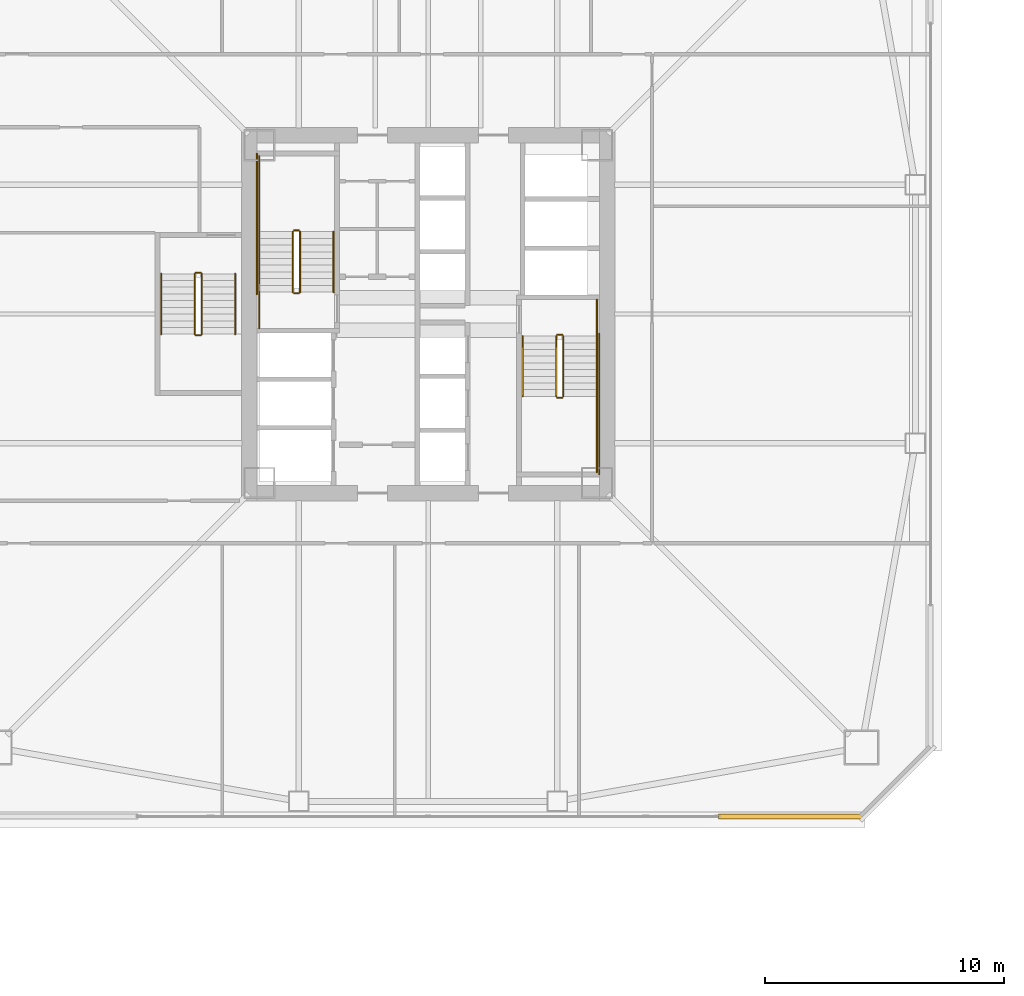
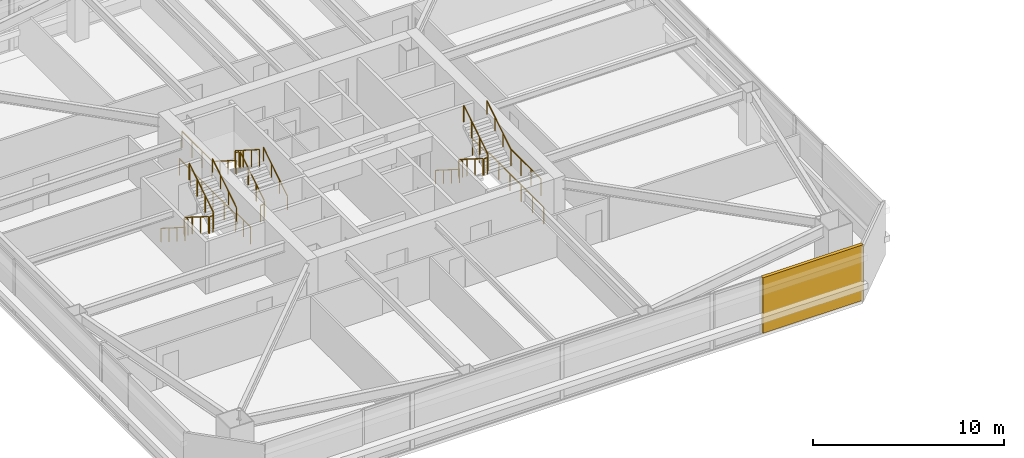
# One storey, part 39 of 44: 24 railings, 1 covering.
"""IFC4 building model written with IfcOpenShell, lengths in metres."""

from ifc_helpers import new_model, si_unit, direction, frame, origin, origin_2d, place, context, subcontext, project, spatial, rectangle, extrude, material, layer, layer_set, type_object, element, save


model = new_model("IFC4")

# Units and contexts
model_context = context("Model", 3, precision=1e-05, world=origin(), true_north=direction((0.0, 1.0)))
body_context = subcontext(model_context, "Body", "Model", "MODEL_VIEW")
ifc_project = project(units=[si_unit("LENGTHUNIT", "METRE"), si_unit("AREAUNIT", "SQUARE_METRE"), si_unit("VOLUMEUNIT", "CUBIC_METRE"), si_unit("PLANEANGLEUNIT", "RADIAN"), si_unit("MASSUNIT", "GRAM", prefix="KILO")], contexts=[model_context])

# Site, building, storey
site_placement = place(None, origin())
site = spatial("IfcSite", under=ifc_project, at=site_placement, CompositionType="ELEMENT")
building_placement = place(site_placement, origin())
building = spatial("IfcBuilding", under=site, at=building_placement, Name="Tashvorn Skyway Center", CompositionType="ELEMENT")
storey_placement = place(building_placement, frame((0.0, 0.0, 74.300048828125)))
storey = spatial("IfcBuildingStorey", under=building, at=storey_placement, Name="L19", CompositionType="ELEMENT", Elevation=74.300048828125)

# Covering
ifc_material_1 = material(Name="Precast concrete C40/50", Category="concrete")
ifc_layer = layer(ifc_material_1, 0.199951171875)
ifc_layer_set = layer_set([ifc_layer], Name="Precast concrete C40/50")
covering_type = type_object("IfcCoveringType", Name="COV-BRACE-CLAD", PredefinedType="CLADDING", material=ifc_layer_set)
covering_placement = place(storey_placement, frame((57.14990234375, 11.02001953125, 0.0), z_axis=(0.0, 0.0, 1.0), x_axis=(-1.0, 0.0, 0.0)))
element("IfcCovering", 1, at=covering_placement, inside=storey, type_object=covering_type, Name="Tower 1 L19 South Unitised Curtain Wall Mega-Brace Cladding Band 1", PredefinedType="CLADDING", context=body_context, shape_type="SweptSolid", body=[
    extrude(rectangle(XDim=6.06005859375, YDim=0.199951171875, at=origin_2d()), origin(), (0.0, 0.0, 1.0), 3.550048828125),
])

# Railings
ifc_material_2 = material(Name="Brushed stainless steel 316", Category="steel")
railing_type_1 = type_object("IfcRailingType", Name="RAIL-HAND-920", PredefinedType="HANDRAIL", material=ifc_material_2)
railing_1_placement = place(storey_placement, frame((38.050048828125, 32.919921875, 0.177490234375)))
element("IfcRailing", 2, at=railing_1_placement, inside=storey, type_object=railing_type_1, Name="L19 ST-T1-1 stair handrail 1", PredefinedType="HANDRAIL", context=body_context, shape_type="SweptSolid", body=[
    extrude(rectangle(XDim=0.048095703125, YDim=0.048095703125, at=origin_2d()), frame((0.0, 0.0, 0.8759765625), z_axis=(0.0, 0.84460694969, 0.535386869969), x_axis=(-1.0, 0.0, 0.0)), (0.0, 0.0, 1.0), 2.983642578125),
    extrude(rectangle(XDim=0.0419921875, YDim=0.0419921875, at=origin_2d()), origin(), (0.0, 0.0, 1.0), 0.851806640625),
    extrude(rectangle(XDim=0.0419921875, YDim=0.0419921875, at=origin_2d()), frame((0.0, 0.840087890625, 0.532470703125)), (0.0, 0.0, 1.0), 0.851806640625),
    extrude(rectangle(XDim=0.0419921875, YDim=0.0419921875, at=origin_2d()), frame((0.0, 1.679931640625, 1.06494140625)), (0.0, 0.0, 1.0), 0.851806640625),
    extrude(rectangle(XDim=0.0419921875, YDim=0.0419921875, at=origin_2d()), frame((0.0, 2.52001953125, 1.597412109375)), (0.0, 0.0, 1.0), 0.851806640625),
])
railing_2_placement = place(storey_placement, frame((34.949951171875, 35.43994140625, 1.952392578125)))
element("IfcRailing", 3, at=railing_2_placement, inside=storey, type_object=railing_type_1, Name="L19 ST-T1-1 stair handrail 2", PredefinedType="HANDRAIL", context=body_context, shape_type="SweptSolid", body=[
    extrude(rectangle(XDim=0.048095703125, YDim=0.048095703125, at=origin_2d()), frame((0.0, 0.0, 0.8759765625), z_axis=(0.0, -0.84456994832, 0.535445237532), x_axis=(1.0, 0.0, 0.0)), (0.0, 0.0, 1.0), 2.98388671875),
    extrude(rectangle(XDim=0.0419921875, YDim=0.0419921875, at=origin_2d()), origin(), (0.0, 0.0, 1.0), 0.851806640625),
    extrude(rectangle(XDim=0.0419921875, YDim=0.0419921875, at=origin_2d()), frame((0.0, -0.840087890625, 0.532470703125)), (0.0, 0.0, 1.0), 0.851806640625),
    extrude(rectangle(XDim=0.0419921875, YDim=0.0419921875, at=origin_2d()), frame((0.0, -1.679931640625, 1.065185546875)), (0.0, 0.0, 1.0), 0.851806640625),
    extrude(rectangle(XDim=0.0419921875, YDim=0.0419921875, at=origin_2d()), frame((0.0, -2.52001953125, 1.59765625)), (0.0, 0.0, 1.0), 0.851806640625),
])
railing_3_placement = place(storey_placement, frame((45.949951171875, 31.080078125, 0.177490234375)))
element("IfcRailing", 4, at=railing_3_placement, inside=storey, type_object=railing_type_1, Name="L19 ST-T1-2 stair handrail 1", PredefinedType="HANDRAIL", context=body_context, shape_type="SweptSolid", body=[
    extrude(rectangle(XDim=0.048095703125, YDim=0.048095703125, at=origin_2d()), frame((0.0, 0.0, 0.8759765625), z_axis=(0.0, -0.84460694969, 0.535386869969), x_axis=(1.0, 0.0, 0.0)), (0.0, 0.0, 1.0), 2.983642578125),
    extrude(rectangle(XDim=0.0419921875, YDim=0.0419921875, at=origin_2d()), origin(), (0.0, 0.0, 1.0), 0.851806640625),
    extrude(rectangle(XDim=0.0419921875, YDim=0.0419921875, at=origin_2d()), frame((0.0, -0.840087890625, 0.532470703125)), (0.0, 0.0, 1.0), 0.851806640625),
    extrude(rectangle(XDim=0.0419921875, YDim=0.0419921875, at=origin_2d()), frame((0.0, -1.679931640625, 1.06494140625)), (0.0, 0.0, 1.0), 0.851806640625),
    extrude(rectangle(XDim=0.0419921875, YDim=0.0419921875, at=origin_2d()), frame((0.0, -2.52001953125, 1.597412109375)), (0.0, 0.0, 1.0), 0.851806640625),
])
railing_4_placement = place(storey_placement, frame((49.050048828125, 28.56005859375, 1.952392578125)))
element("IfcRailing", 5, at=railing_4_placement, inside=storey, type_object=railing_type_1, Name="L19 ST-T1-2 stair handrail 2", PredefinedType="HANDRAIL", context=body_context, shape_type="SweptSolid", body=[
    extrude(rectangle(XDim=0.048095703125, YDim=0.048095703125, at=origin_2d()), frame((0.0, 0.0, 0.8759765625), z_axis=(0.0, 0.84456994832, 0.535445237532), x_axis=(-1.0, 0.0, 0.0)), (0.0, 0.0, 1.0), 2.98388671875),
    extrude(rectangle(XDim=0.0419921875, YDim=0.0419921875, at=origin_2d()), origin(), (0.0, 0.0, 1.0), 0.851806640625),
    extrude(rectangle(XDim=0.0419921875, YDim=0.0419921875, at=origin_2d()), frame((0.0, 0.840087890625, 0.532470703125)), (0.0, 0.0, 1.0), 0.851806640625),
    extrude(rectangle(XDim=0.0419921875, YDim=0.0419921875, at=origin_2d()), frame((0.0, 1.679931640625, 1.065185546875)), (0.0, 0.0, 1.0), 0.851806640625),
    extrude(rectangle(XDim=0.0419921875, YDim=0.0419921875, at=origin_2d()), frame((0.0, 2.52001953125, 1.59765625)), (0.0, 0.0, 1.0), 0.851806640625),
])
railing_5_placement = place(storey_placement, frame((30.85009765625, 33.679931640625, 0.177490234375)))
element("IfcRailing", 6, at=railing_5_placement, inside=storey, type_object=railing_type_1, Name="L19 ST-T1-3 stair handrail 1", PredefinedType="HANDRAIL", context=body_context, shape_type="SweptSolid", body=[
    extrude(rectangle(XDim=0.048095703125, YDim=0.048095703125, at=origin_2d()), frame((0.0, 0.0, 0.8759765625), z_axis=(0.0, -0.84460694969, 0.535386869969), x_axis=(1.0, 0.0, 0.0)), (0.0, 0.0, 1.0), 2.983642578125),
    extrude(rectangle(XDim=0.0419921875, YDim=0.0419921875, at=origin_2d()), origin(), (0.0, 0.0, 1.0), 0.851806640625),
    extrude(rectangle(XDim=0.0419921875, YDim=0.0419921875, at=origin_2d()), frame((0.0, -0.840087890625, 0.532470703125)), (0.0, 0.0, 1.0), 0.851806640625),
    extrude(rectangle(XDim=0.0419921875, YDim=0.0419921875, at=origin_2d()), frame((0.0, -1.679931640625, 1.06494140625)), (0.0, 0.0, 1.0), 0.851806640625),
    extrude(rectangle(XDim=0.0419921875, YDim=0.0419921875, at=origin_2d()), frame((0.0, -2.52001953125, 1.597412109375)), (0.0, 0.0, 1.0), 0.851806640625),
])
railing_6_placement = place(storey_placement, frame((33.949951171875, 31.159912109375, 1.952392578125)))
element("IfcRailing", 7, at=railing_6_placement, inside=storey, type_object=railing_type_1, Name="L19 ST-T1-3 stair handrail 2", PredefinedType="HANDRAIL", context=body_context, shape_type="SweptSolid", body=[
    extrude(rectangle(XDim=0.048095703125, YDim=0.048095703125, at=origin_2d()), frame((0.0, 0.0, 0.8759765625), z_axis=(0.0, 0.84456994832, 0.535445237532), x_axis=(-1.0, 0.0, 0.0)), (0.0, 0.0, 1.0), 2.98388671875),
    extrude(rectangle(XDim=0.0419921875, YDim=0.0419921875, at=origin_2d()), origin(), (0.0, 0.0, 1.0), 0.851806640625),
    extrude(rectangle(XDim=0.0419921875, YDim=0.0419921875, at=origin_2d()), frame((0.0, 0.840087890625, 0.532470703125)), (0.0, 0.0, 1.0), 0.851806640625),
    extrude(rectangle(XDim=0.0419921875, YDim=0.0419921875, at=origin_2d()), frame((0.0, 1.679931640625, 1.065185546875)), (0.0, 0.0, 1.0), 0.851806640625),
    extrude(rectangle(XDim=0.0419921875, YDim=0.0419921875, at=origin_2d()), frame((0.0, 2.52001953125, 1.59765625)), (0.0, 0.0, 1.0), 0.851806640625),
])
ifc_material_3 = material(Name="Painted galvanized steel S355", Category="steel")
railing_type_2 = type_object("IfcRailingType", Name="RAIL-STGUARD-1100", PredefinedType="GUARDRAIL", material=ifc_material_3)
railing_7_placement = place(storey_placement, frame((36.64990234375, 32.919921875, 0.177490234375)))
element("IfcRailing", 8, at=railing_7_placement, inside=storey, type_object=railing_type_2, Name="L19 ST-T1-1 stair guard 1", PredefinedType="GUARDRAIL", context=body_context, shape_type="SweptSolid", body=[
    extrude(rectangle(XDim=0.048095703125, YDim=0.048095703125, at=origin_2d()), frame((0.0, 0.0, 1.076171875), z_axis=(0.0, 0.84460694969, 0.535386869969), x_axis=(-1.0, 0.0, 0.0)), (0.0, 0.0, 1.0), 2.983642578125),
    extrude(rectangle(XDim=0.0419921875, YDim=0.0419921875, at=origin_2d()), origin(), (0.0, 0.0, 1.0), 1.052001953125),
    extrude(rectangle(XDim=0.0419921875, YDim=0.0419921875, at=origin_2d()), frame((0.0, 0.840087890625, 0.532470703125)), (0.0, 0.0, 1.0), 1.052001953125),
    extrude(rectangle(XDim=0.0419921875, YDim=0.0419921875, at=origin_2d()), frame((0.0, 1.679931640625, 1.06494140625)), (0.0, 0.0, 1.0), 1.052001953125),
    extrude(rectangle(XDim=0.0419921875, YDim=0.0419921875, at=origin_2d()), frame((0.0, 2.52001953125, 1.597412109375)), (0.0, 0.0, 1.0), 1.052001953125),
])
railing_8_placement = place(storey_placement, frame((36.60009765625, 35.489990234375, 1.77490234375)))
element("IfcRailing", 9, at=railing_8_placement, inside=storey, type_object=railing_type_2, Name="L19 ST-T1-1 stair guard 2", PredefinedType="GUARDRAIL", context=body_context, shape_type="SweptSolid", body=[
    extrude(rectangle(XDim=0.048095703125, YDim=0.048095703125, at=origin_2d()), frame((0.0, 0.0, 1.076171875), z_axis=(-1.0, 0.0, 0.0), x_axis=(0.0, -1.0, 0.0)), (0.0, 0.0, 1.0), 0.2001953125),
    extrude(rectangle(XDim=0.0419921875, YDim=0.0419921875, at=origin_2d()), origin(), (0.0, 0.0, 1.0), 1.052001953125),
    extrude(rectangle(XDim=0.0419921875, YDim=0.0419921875, at=origin_2d()), frame((-0.2001953125, 0.0, 0.0)), (0.0, 0.0, 1.0), 1.052001953125),
])
railing_9_placement = place(storey_placement, frame((34.949951171875, 35.43994140625, 1.77490234375)))
element("IfcRailing", 10, at=railing_9_placement, inside=storey, type_object=railing_type_2, Name="L19 ST-T1-1 stair guard 3", PredefinedType="GUARDRAIL", context=body_context, shape_type="SweptSolid", body=[
    extrude(rectangle(XDim=0.048095703125, YDim=0.048095703125, at=origin_2d()), frame((0.0, 0.0, 1.076171875), z_axis=(0.0, 1.0, 0.0), x_axis=(-1.0, 0.0, 0.0)), (0.0, 0.0, 1.0), 3.16015625),
    extrude(rectangle(XDim=0.0419921875, YDim=0.0419921875, at=origin_2d()), origin(), (0.0, 0.0, 1.0), 1.052001953125),
    extrude(rectangle(XDim=0.0419921875, YDim=0.0419921875, at=origin_2d()), frame((0.0, 1.053466796875, 0.0)), (0.0, 0.0, 1.0), 1.052001953125),
    extrude(rectangle(XDim=0.0419921875, YDim=0.0419921875, at=origin_2d()), frame((0.0, 2.106689453125, 0.0)), (0.0, 0.0, 1.0), 1.052001953125),
    extrude(rectangle(XDim=0.0419921875, YDim=0.0419921875, at=origin_2d()), frame((0.0, 3.16015625, 0.0)), (0.0, 0.0, 1.0), 1.052001953125),
])
railing_10_placement = place(storey_placement, frame((36.35009765625, 35.43994140625, 1.952392578125)))
element("IfcRailing", 11, at=railing_10_placement, inside=storey, type_object=railing_type_2, Name="L19 ST-T1-1 stair guard 4", PredefinedType="GUARDRAIL", context=body_context, shape_type="SweptSolid", body=[
    extrude(rectangle(XDim=0.048095703125, YDim=0.048095703125, at=origin_2d()), frame((0.0, 0.0, 1.076171875), z_axis=(0.0, -0.84456994832, 0.535445237532), x_axis=(1.0, 0.0, 0.0)), (0.0, 0.0, 1.0), 2.98388671875),
    extrude(rectangle(XDim=0.0419921875, YDim=0.0419921875, at=origin_2d()), origin(), (0.0, 0.0, 1.0), 1.052001953125),
    extrude(rectangle(XDim=0.0419921875, YDim=0.0419921875, at=origin_2d()), frame((0.0, -0.840087890625, 0.532470703125)), (0.0, 0.0, 1.0), 1.052001953125),
    extrude(rectangle(XDim=0.0419921875, YDim=0.0419921875, at=origin_2d()), frame((0.0, -1.679931640625, 1.065185546875)), (0.0, 0.0, 1.0), 1.052001953125),
    extrude(rectangle(XDim=0.0419921875, YDim=0.0419921875, at=origin_2d()), frame((0.0, -2.52001953125, 1.59765625)), (0.0, 0.0, 1.0), 1.052001953125),
])
railing_11_placement = place(storey_placement, frame((36.60009765625, 32.8701171875, 0.0)))
element("IfcRailing", 12, at=railing_11_placement, inside=storey, type_object=railing_type_2, Name="L19 ST-T1-1 stair guard 5", PredefinedType="GUARDRAIL", context=body_context, shape_type="SweptSolid", body=[
    extrude(rectangle(XDim=0.048095703125, YDim=0.048095703125, at=origin_2d()), frame((0.0, 0.0, 1.076171875), z_axis=(-1.0, 0.0, 0.0), x_axis=(0.0, -1.0, 0.0)), (0.0, 0.0, 1.0), 0.2001953125),
    extrude(rectangle(XDim=0.0419921875, YDim=0.0419921875, at=origin_2d()), origin(), (0.0, 0.0, 1.0), 1.052001953125),
    extrude(rectangle(XDim=0.0419921875, YDim=0.0419921875, at=origin_2d()), frame((-0.2001953125, 0.0, 0.0)), (0.0, 0.0, 1.0), 1.052001953125),
])
railing_12_placement = place(storey_placement, frame((34.949951171875, 31.39990234375, 0.0)))
element("IfcRailing", 13, at=railing_12_placement, inside=storey, type_object=railing_type_2, Name="L19 ST-T1-1 stair guard 6", PredefinedType="GUARDRAIL", context=body_context, shape_type="SweptSolid", body=[
    extrude(rectangle(XDim=0.048095703125, YDim=0.048095703125, at=origin_2d()), frame((0.0, 0.0, 1.076171875), z_axis=(0.0, 1.0, 0.0), x_axis=(-1.0, 0.0, 0.0)), (0.0, 0.0, 1.0), 1.52001953125),
    extrude(rectangle(XDim=0.0419921875, YDim=0.0419921875, at=origin_2d()), origin(), (0.0, 0.0, 1.0), 1.052001953125),
    extrude(rectangle(XDim=0.0419921875, YDim=0.0419921875, at=origin_2d()), frame((0.0, 0.760009765625, 0.0)), (0.0, 0.0, 1.0), 1.052001953125),
    extrude(rectangle(XDim=0.0419921875, YDim=0.0419921875, at=origin_2d()), frame((0.0, 1.52001953125, 0.0)), (0.0, 0.0, 1.0), 1.052001953125),
])
railing_13_placement = place(storey_placement, frame((34.85009765625, 32.820068359375, 0.0)))
element("IfcRailing", 14, at=railing_13_placement, inside=storey, type_object=railing_type_2, Name="L19 ST-T1-1 stair guard 7", PredefinedType="GUARDRAIL", context=body_context, shape_type="SweptSolid", body=[
    extrude(rectangle(XDim=0.048095703125, YDim=0.048095703125, at=origin_2d()), frame((0.0, 0.0, 1.076171875), z_axis=(0.0, 1.0, 0.0), x_axis=(-1.0, 0.0, 0.0)), (0.0, 0.0, 1.0), 5.8798828125),
    extrude(rectangle(XDim=0.0419921875, YDim=0.0419921875, at=origin_2d()), origin(), (0.0, 0.0, 1.0), 1.052001953125),
    extrude(rectangle(XDim=0.0419921875, YDim=0.0419921875, at=origin_2d()), frame((0.0, 1.176025390625, 0.0)), (0.0, 0.0, 1.0), 1.052001953125),
    extrude(rectangle(XDim=0.0419921875, YDim=0.0419921875, at=origin_2d()), frame((0.0, 2.35205078125, 0.0)), (0.0, 0.0, 1.0), 1.052001953125),
    extrude(rectangle(XDim=0.0419921875, YDim=0.0419921875, at=origin_2d()), frame((0.0, 3.52783203125, 0.0)), (0.0, 0.0, 1.0), 1.052001953125),
    extrude(rectangle(XDim=0.0419921875, YDim=0.0419921875, at=origin_2d()), frame((0.0, 4.703857421875, 0.0)), (0.0, 0.0, 1.0), 1.052001953125),
    extrude(rectangle(XDim=0.0419921875, YDim=0.0419921875, at=origin_2d()), frame((0.0, 5.8798828125, 0.0)), (0.0, 0.0, 1.0), 1.052001953125),
])
railing_14_placement = place(storey_placement, frame((47.35009765625, 31.080078125, 0.177490234375)))
element("IfcRailing", 15, at=railing_14_placement, inside=storey, type_object=railing_type_2, Name="L19 ST-T1-2 stair guard 1", PredefinedType="GUARDRAIL", context=body_context, shape_type="SweptSolid", body=[
    extrude(rectangle(XDim=0.048095703125, YDim=0.048095703125, at=origin_2d()), frame((0.0, 0.0, 1.076171875), z_axis=(0.0, -0.84460694969, 0.535386869969), x_axis=(1.0, 0.0, 0.0)), (0.0, 0.0, 1.0), 2.983642578125),
    extrude(rectangle(XDim=0.0419921875, YDim=0.0419921875, at=origin_2d()), origin(), (0.0, 0.0, 1.0), 1.052001953125),
    extrude(rectangle(XDim=0.0419921875, YDim=0.0419921875, at=origin_2d()), frame((0.0, -0.840087890625, 0.532470703125)), (0.0, 0.0, 1.0), 1.052001953125),
    extrude(rectangle(XDim=0.0419921875, YDim=0.0419921875, at=origin_2d()), frame((0.0, -1.679931640625, 1.06494140625)), (0.0, 0.0, 1.0), 1.052001953125),
    extrude(rectangle(XDim=0.0419921875, YDim=0.0419921875, at=origin_2d()), frame((0.0, -2.52001953125, 1.597412109375)), (0.0, 0.0, 1.0), 1.052001953125),
])
railing_15_placement = place(storey_placement, frame((47.39990234375, 28.510009765625, 1.77490234375)))
element("IfcRailing", 16, at=railing_15_placement, inside=storey, type_object=railing_type_2, Name="L19 ST-T1-2 stair guard 2", PredefinedType="GUARDRAIL", context=body_context, shape_type="SweptSolid", body=[
    extrude(rectangle(XDim=0.048095703125, YDim=0.048095703125, at=origin_2d()), frame((0.0, 0.0, 1.076171875), z_axis=(1.0, 0.0, 0.0), x_axis=(0.0, 1.0, 0.0)), (0.0, 0.0, 1.0), 0.2001953125),
    extrude(rectangle(XDim=0.0419921875, YDim=0.0419921875, at=origin_2d()), origin(), (0.0, 0.0, 1.0), 1.052001953125),
    extrude(rectangle(XDim=0.0419921875, YDim=0.0419921875, at=origin_2d()), frame((0.2001953125, 0.0, 0.0)), (0.0, 0.0, 1.0), 1.052001953125),
])
railing_16_placement = place(storey_placement, frame((49.050048828125, 28.56005859375, 1.77490234375)))
element("IfcRailing", 17, at=railing_16_placement, inside=storey, type_object=railing_type_2, Name="L19 ST-T1-2 stair guard 3", PredefinedType="GUARDRAIL", context=body_context, shape_type="SweptSolid", body=[
    extrude(rectangle(XDim=0.048095703125, YDim=0.048095703125, at=origin_2d()), frame((0.0, 0.0, 1.076171875), z_axis=(0.0, -1.0, 0.0), x_axis=(1.0, 0.0, 0.0)), (0.0, 0.0, 1.0), 3.16015625),
    extrude(rectangle(XDim=0.0419921875, YDim=0.0419921875, at=origin_2d()), origin(), (0.0, 0.0, 1.0), 1.052001953125),
    extrude(rectangle(XDim=0.0419921875, YDim=0.0419921875, at=origin_2d()), frame((0.0, -1.053466796875, 0.0)), (0.0, 0.0, 1.0), 1.052001953125),
    extrude(rectangle(XDim=0.0419921875, YDim=0.0419921875, at=origin_2d()), frame((0.0, -2.106689453125, 0.0)), (0.0, 0.0, 1.0), 1.052001953125),
    extrude(rectangle(XDim=0.0419921875, YDim=0.0419921875, at=origin_2d()), frame((0.0, -3.16015625, 0.0)), (0.0, 0.0, 1.0), 1.052001953125),
])
railing_17_placement = place(storey_placement, frame((47.64990234375, 28.56005859375, 1.952392578125)))
element("IfcRailing", 18, at=railing_17_placement, inside=storey, type_object=railing_type_2, Name="L19 ST-T1-2 stair guard 4", PredefinedType="GUARDRAIL", context=body_context, shape_type="SweptSolid", body=[
    extrude(rectangle(XDim=0.048095703125, YDim=0.048095703125, at=origin_2d()), frame((0.0, 0.0, 1.076171875), z_axis=(0.0, 0.84456994832, 0.535445237532), x_axis=(-1.0, 0.0, 0.0)), (0.0, 0.0, 1.0), 2.98388671875),
    extrude(rectangle(XDim=0.0419921875, YDim=0.0419921875, at=origin_2d()), origin(), (0.0, 0.0, 1.0), 1.052001953125),
    extrude(rectangle(XDim=0.0419921875, YDim=0.0419921875, at=origin_2d()), frame((0.0, 0.840087890625, 0.532470703125)), (0.0, 0.0, 1.0), 1.052001953125),
    extrude(rectangle(XDim=0.0419921875, YDim=0.0419921875, at=origin_2d()), frame((0.0, 1.679931640625, 1.065185546875)), (0.0, 0.0, 1.0), 1.052001953125),
    extrude(rectangle(XDim=0.0419921875, YDim=0.0419921875, at=origin_2d()), frame((0.0, 2.52001953125, 1.59765625)), (0.0, 0.0, 1.0), 1.052001953125),
])
railing_18_placement = place(storey_placement, frame((47.39990234375, 31.1298828125, 0.0)))
element("IfcRailing", 19, at=railing_18_placement, inside=storey, type_object=railing_type_2, Name="L19 ST-T1-2 stair guard 5", PredefinedType="GUARDRAIL", context=body_context, shape_type="SweptSolid", body=[
    extrude(rectangle(XDim=0.048095703125, YDim=0.048095703125, at=origin_2d()), frame((0.0, 0.0, 1.076171875), z_axis=(1.0, 0.0, 0.0), x_axis=(0.0, 1.0, 0.0)), (0.0, 0.0, 1.0), 0.2001953125),
    extrude(rectangle(XDim=0.0419921875, YDim=0.0419921875, at=origin_2d()), origin(), (0.0, 0.0, 1.0), 1.052001953125),
    extrude(rectangle(XDim=0.0419921875, YDim=0.0419921875, at=origin_2d()), frame((0.2001953125, 0.0, 0.0)), (0.0, 0.0, 1.0), 1.052001953125),
])
railing_19_placement = place(storey_placement, frame((49.050048828125, 32.60009765625, 0.0)))
element("IfcRailing", 20, at=railing_19_placement, inside=storey, type_object=railing_type_2, Name="L19 ST-T1-2 stair guard 6", PredefinedType="GUARDRAIL", context=body_context, shape_type="SweptSolid", body=[
    extrude(rectangle(XDim=0.048095703125, YDim=0.048095703125, at=origin_2d()), frame((0.0, 0.0, 1.076171875), z_axis=(0.0, -1.0, 0.0), x_axis=(1.0, 0.0, 0.0)), (0.0, 0.0, 1.0), 1.52001953125),
    extrude(rectangle(XDim=0.0419921875, YDim=0.0419921875, at=origin_2d()), origin(), (0.0, 0.0, 1.0), 1.052001953125),
    extrude(rectangle(XDim=0.0419921875, YDim=0.0419921875, at=origin_2d()), frame((0.0, -0.760009765625, 0.0)), (0.0, 0.0, 1.0), 1.052001953125),
    extrude(rectangle(XDim=0.0419921875, YDim=0.0419921875, at=origin_2d()), frame((0.0, -1.52001953125, 0.0)), (0.0, 0.0, 1.0), 1.052001953125),
])
railing_20_placement = place(storey_placement, frame((49.14990234375, 31.179931640625, 0.0)))
element("IfcRailing", 21, at=railing_20_placement, inside=storey, type_object=railing_type_2, Name="L19 ST-T1-2 stair guard 7", PredefinedType="GUARDRAIL", context=body_context, shape_type="SweptSolid", body=[
    extrude(rectangle(XDim=0.048095703125, YDim=0.048095703125, at=origin_2d()), frame((0.0, 0.0, 1.076171875), z_axis=(0.0, -1.0, 0.0), x_axis=(1.0, 0.0, 0.0)), (0.0, 0.0, 1.0), 5.8798828125),
    extrude(rectangle(XDim=0.0419921875, YDim=0.0419921875, at=origin_2d()), origin(), (0.0, 0.0, 1.0), 1.052001953125),
    extrude(rectangle(XDim=0.0419921875, YDim=0.0419921875, at=origin_2d()), frame((0.0, -1.176025390625, 0.0)), (0.0, 0.0, 1.0), 1.052001953125),
    extrude(rectangle(XDim=0.0419921875, YDim=0.0419921875, at=origin_2d()), frame((0.0, -2.35205078125, 0.0)), (0.0, 0.0, 1.0), 1.052001953125),
    extrude(rectangle(XDim=0.0419921875, YDim=0.0419921875, at=origin_2d()), frame((0.0, -3.52783203125, 0.0)), (0.0, 0.0, 1.0), 1.052001953125),
    extrude(rectangle(XDim=0.0419921875, YDim=0.0419921875, at=origin_2d()), frame((0.0, -4.703857421875, 0.0)), (0.0, 0.0, 1.0), 1.052001953125),
    extrude(rectangle(XDim=0.0419921875, YDim=0.0419921875, at=origin_2d()), frame((0.0, -5.8798828125, 0.0)), (0.0, 0.0, 1.0), 1.052001953125),
])
railing_21_placement = place(storey_placement, frame((32.25, 33.679931640625, 0.177490234375)))
element("IfcRailing", 22, at=railing_21_placement, inside=storey, type_object=railing_type_2, Name="L19 ST-T1-3 stair guard 1", PredefinedType="GUARDRAIL", context=body_context, shape_type="SweptSolid", body=[
    extrude(rectangle(XDim=0.048095703125, YDim=0.048095703125, at=origin_2d()), frame((0.0, 0.0, 1.076171875), z_axis=(0.0, -0.84460694969, 0.535386869969), x_axis=(1.0, 0.0, 0.0)), (0.0, 0.0, 1.0), 2.983642578125),
    extrude(rectangle(XDim=0.0419921875, YDim=0.0419921875, at=origin_2d()), origin(), (0.0, 0.0, 1.0), 1.052001953125),
    extrude(rectangle(XDim=0.0419921875, YDim=0.0419921875, at=origin_2d()), frame((0.0, -0.840087890625, 0.532470703125)), (0.0, 0.0, 1.0), 1.052001953125),
    extrude(rectangle(XDim=0.0419921875, YDim=0.0419921875, at=origin_2d()), frame((0.0, -1.679931640625, 1.06494140625)), (0.0, 0.0, 1.0), 1.052001953125),
    extrude(rectangle(XDim=0.0419921875, YDim=0.0419921875, at=origin_2d()), frame((0.0, -2.52001953125, 1.597412109375)), (0.0, 0.0, 1.0), 1.052001953125),
])
railing_22_placement = place(storey_placement, frame((32.300048828125, 31.110107421875, 1.77490234375)))
element("IfcRailing", 23, at=railing_22_placement, inside=storey, type_object=railing_type_2, Name="L19 ST-T1-3 stair guard 2", PredefinedType="GUARDRAIL", context=body_context, shape_type="SweptSolid", body=[
    extrude(rectangle(XDim=0.048095703125, YDim=0.048095703125, at=origin_2d()), frame((0.0, 0.0, 1.076171875), z_axis=(1.0, 0.0, 0.0), x_axis=(0.0, 1.0, 0.0)), (0.0, 0.0, 1.0), 0.199951171875),
    extrude(rectangle(XDim=0.0419921875, YDim=0.0419921875, at=origin_2d()), origin(), (0.0, 0.0, 1.0), 1.052001953125),
    extrude(rectangle(XDim=0.0419921875, YDim=0.0419921875, at=origin_2d()), frame((0.199951171875, 0.0, 0.0)), (0.0, 0.0, 1.0), 1.052001953125),
])
railing_23_placement = place(storey_placement, frame((32.550048828125, 31.159912109375, 1.952392578125)))
element("IfcRailing", 24, at=railing_23_placement, inside=storey, type_object=railing_type_2, Name="L19 ST-T1-3 stair guard 3", PredefinedType="GUARDRAIL", context=body_context, shape_type="SweptSolid", body=[
    extrude(rectangle(XDim=0.048095703125, YDim=0.048095703125, at=origin_2d()), frame((0.0, 0.0, 1.076171875), z_axis=(0.0, 0.84456994832, 0.535445237532), x_axis=(-1.0, 0.0, 0.0)), (0.0, 0.0, 1.0), 2.98388671875),
    extrude(rectangle(XDim=0.0419921875, YDim=0.0419921875, at=origin_2d()), origin(), (0.0, 0.0, 1.0), 1.052001953125),
    extrude(rectangle(XDim=0.0419921875, YDim=0.0419921875, at=origin_2d()), frame((0.0, 0.840087890625, 0.532470703125)), (0.0, 0.0, 1.0), 1.052001953125),
    extrude(rectangle(XDim=0.0419921875, YDim=0.0419921875, at=origin_2d()), frame((0.0, 1.679931640625, 1.065185546875)), (0.0, 0.0, 1.0), 1.052001953125),
    extrude(rectangle(XDim=0.0419921875, YDim=0.0419921875, at=origin_2d()), frame((0.0, 2.52001953125, 1.59765625)), (0.0, 0.0, 1.0), 1.052001953125),
])
railing_24_placement = place(storey_placement, frame((32.300048828125, 33.72998046875, 0.0)))
element("IfcRailing", 25, at=railing_24_placement, inside=storey, type_object=railing_type_2, Name="L19 ST-T1-3 stair guard 4", PredefinedType="GUARDRAIL", context=body_context, shape_type="SweptSolid", body=[
    extrude(rectangle(XDim=0.048095703125, YDim=0.048095703125, at=origin_2d()), frame((0.0, 0.0, 1.076171875), z_axis=(1.0, 0.0, 0.0), x_axis=(0.0, 1.0, 0.0)), (0.0, 0.0, 1.0), 0.199951171875),
    extrude(rectangle(XDim=0.0419921875, YDim=0.0419921875, at=origin_2d()), origin(), (0.0, 0.0, 1.0), 1.052001953125),
    extrude(rectangle(XDim=0.0419921875, YDim=0.0419921875, at=origin_2d()), frame((0.199951171875, 0.0, 0.0)), (0.0, 0.0, 1.0), 1.052001953125),
])

save(model, "model.ifc")
